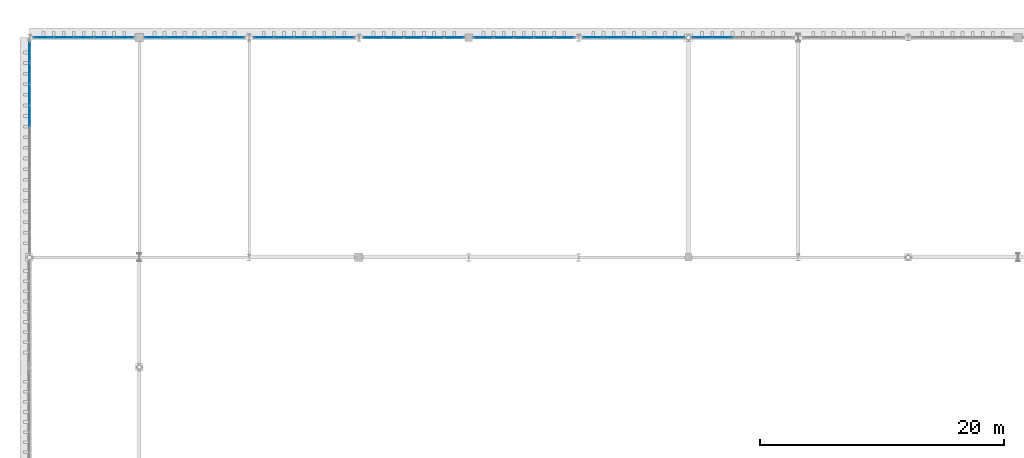
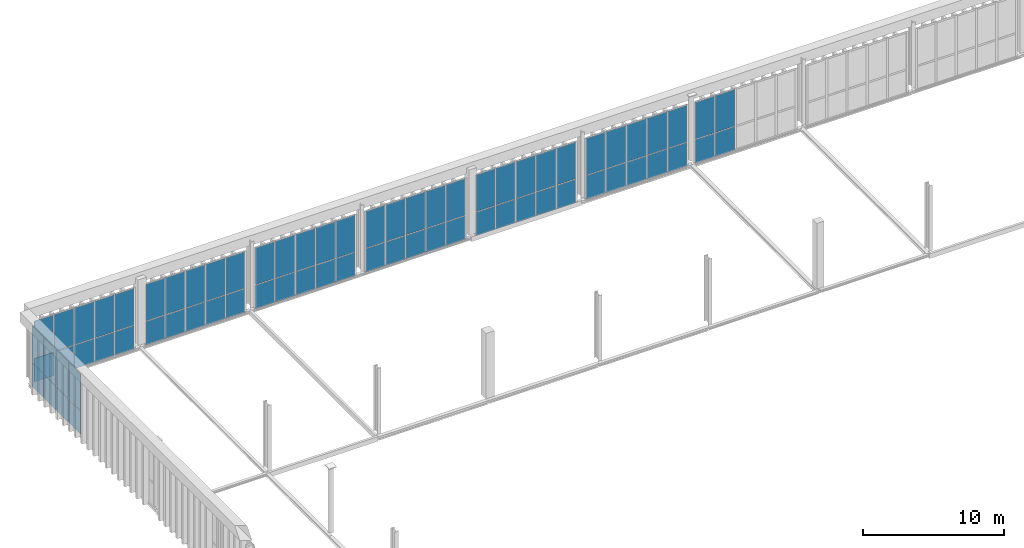
# One storey, part 196 of 237: 72 plates, 8 elements without a shape of their own.
"""IFC4 building model written with IfcOpenShell, lengths in metres."""

from ifc_helpers import new_model, si_unit, direction, frame, origin, origin_2d, place, context, subcontext, project, spatial, rectangle, extrude, material, layer, layer_set, type_object, element, aggregate, save


model = new_model("IFC4")

# Units and contexts
model_context = context("Model", 3, precision=1e-05, world=origin(), true_north=direction((0.0, 1.0)))
body_context = subcontext(model_context, "Body", "Model", "MODEL_VIEW")
ifc_project = project(units=[si_unit("LENGTHUNIT", "METRE"), si_unit("AREAUNIT", "SQUARE_METRE"), si_unit("VOLUMEUNIT", "CUBIC_METRE"), si_unit("PLANEANGLEUNIT", "RADIAN"), si_unit("MASSUNIT", "GRAM", prefix="KILO")], contexts=[model_context])

# Site, building, storey
site_placement = place(None, origin())
site = spatial("IfcSite", under=ifc_project, at=site_placement, CompositionType="ELEMENT")
building_placement = place(site_placement, origin())
building = spatial("IfcBuilding", under=site, at=building_placement, Name="Barlavento Convention Centre", CompositionType="ELEMENT")
storey_placement = place(building_placement, frame((0.0, 0.0, 12.0)))
storey = spatial("IfcBuildingStorey", under=building, at=storey_placement, Name="L02", CompositionType="ELEMENT", Elevation=12.0)

# Curtain wall, plates
ifc_material_1 = material(Name="Powder-coated aluminium and Low-E glass", Category="aluminium")
ifc_layer_1 = layer(ifc_material_1, 0.18505859375)
ifc_layer_set_1 = layer_set([ifc_layer_1], Name="ARC-CW-EXH-L02")
curtain_wall_type = type_object("IfcCurtainWallType", Name="ARC-CW-EXH-L02", PredefinedType="NOTDEFINED", material=ifc_layer_set_1)
curtain_wall_1_placement = place(storey_placement, origin())
curtain_wall_1 = element("IfcCurtainWall", 1, at=curtain_wall_1_placement, inside=storey, type_object=curtain_wall_type, Name="L02 unitised curtain wall CW05", PredefinedType="NOTDEFINED")
ifc_material_2 = material(Name="Insulated spandrel glass panel", Category="glass")
ifc_layer_2 = layer(ifc_material_2, 0.0400390625)
ifc_layer_set_2 = layer_set([ifc_layer_2], Name="ARC-CWP-SPN40")
plate_type_1 = type_object("IfcPlateType", Name="ARC-CWP-SPN40", PredefinedType="CURTAIN_PANEL", material=ifc_layer_set_2)
plate_1_placement = place(storey_placement, frame((0.0, 128.576904296875, -0.43994140625), z_axis=(0.0, 0.0, 1.0), x_axis=(0.0, 1.0, 0.0)))
plate_1 = element("IfcPlate", 2, at=plate_1_placement, type_object=plate_type_1, Name="CW05 panel 7.1", PredefinedType="CURTAIN_PANEL", context=body_context, shape_type="SweptSolid", body=[
    extrude(rectangle(XDim=1.67236328125, YDim=0.0400390625, at=origin_2d()), origin(), (0.0, 0.0, 1.0), 2.010009765625),
])
plate_2_placement = place(storey_placement, frame((0.0, 128.576904296875, 1.6298828125), z_axis=(0.0, 0.0, 1.0), x_axis=(0.0, 1.0, 0.0)))
plate_2 = element("IfcPlate", 3, at=plate_2_placement, type_object=plate_type_1, Name="CW05 panel 7.2", PredefinedType="CURTAIN_PANEL", context=body_context, shape_type="SweptSolid", body=[
    extrude(rectangle(XDim=1.67236328125, YDim=0.0400390625, at=origin_2d()), origin(), (0.0, 0.0, 1.0), 3.159912109375),
])
plate_3_placement = place(storey_placement, frame((0.0, 130.314208984375, -0.43994140625), z_axis=(0.0, 0.0, 1.0), x_axis=(0.0, 1.0, 0.0)))
plate_3 = element("IfcPlate", 4, at=plate_3_placement, type_object=plate_type_1, Name="CW05 panel 8.1", PredefinedType="CURTAIN_PANEL", context=body_context, shape_type="SweptSolid", body=[
    extrude(rectangle(XDim=1.67236328125, YDim=0.0400390625, at=origin_2d()), origin(), (0.0, 0.0, 1.0), 2.010009765625),
])
plate_4_placement = place(storey_placement, frame((0.0, 130.314208984375, 1.6298828125), z_axis=(0.0, 0.0, 1.0), x_axis=(0.0, 1.0, 0.0)))
plate_4 = element("IfcPlate", 5, at=plate_4_placement, type_object=plate_type_1, Name="CW05 panel 8.2", PredefinedType="CURTAIN_PANEL", context=body_context, shape_type="SweptSolid", body=[
    extrude(rectangle(XDim=1.67236328125, YDim=0.0400390625, at=origin_2d()), origin(), (0.0, 0.0, 1.0), 3.159912109375),
])
plate_5_placement = place(storey_placement, frame((0.0, 132.0517578125, -0.43994140625), z_axis=(0.0, 0.0, 1.0), x_axis=(0.0, 1.0, 0.0)))
plate_5 = element("IfcPlate", 6, at=plate_5_placement, type_object=plate_type_1, Name="CW05 panel 9.1", PredefinedType="CURTAIN_PANEL", context=body_context, shape_type="SweptSolid", body=[
    extrude(rectangle(XDim=1.67236328125, YDim=0.0400390625, at=origin_2d()), origin(), (0.0, 0.0, 1.0), 2.010009765625),
])
plate_6_placement = place(storey_placement, frame((0.0, 132.0517578125, 1.6298828125), z_axis=(0.0, 0.0, 1.0), x_axis=(0.0, 1.0, 0.0)))
plate_6 = element("IfcPlate", 7, at=plate_6_placement, type_object=plate_type_1, Name="CW05 panel 9.2", PredefinedType="CURTAIN_PANEL", context=body_context, shape_type="SweptSolid", body=[
    extrude(rectangle(XDim=1.67236328125, YDim=0.0400390625, at=origin_2d()), origin(), (0.0, 0.0, 1.0), 3.159912109375),
])
plate_7_placement = place(storey_placement, frame((0.0, 133.77294921875, -0.43994140625), z_axis=(0.0, 0.0, 1.0), x_axis=(0.0, 1.0, 0.0)))
plate_7 = element("IfcPlate", 8, at=plate_7_placement, type_object=plate_type_1, Name="CW05 panel 10.1", PredefinedType="CURTAIN_PANEL", context=body_context, shape_type="SweptSolid", body=[
    extrude(rectangle(XDim=1.639892578125, YDim=0.0400390625, at=origin_2d()), origin(), (0.0, 0.0, 1.0), 2.010009765625),
])
plate_8_placement = place(storey_placement, frame((0.0, 133.77294921875, 1.6298828125), z_axis=(0.0, 0.0, 1.0), x_axis=(0.0, 1.0, 0.0)))
plate_8 = element("IfcPlate", 9, at=plate_8_placement, type_object=plate_type_1, Name="CW05 panel 10.2", PredefinedType="CURTAIN_PANEL", context=body_context, shape_type="SweptSolid", body=[
    extrude(rectangle(XDim=1.639892578125, YDim=0.0400390625, at=origin_2d()), origin(), (0.0, 0.0, 1.0), 3.159912109375),
])
aggregate(curtain_wall_1, [plate_1, plate_2, plate_3, plate_4, plate_5, plate_6, plate_7, plate_8])

curtain_wall_2_placement = place(storey_placement, origin())
curtain_wall_2 = element("IfcCurtainWall", 10, at=curtain_wall_2_placement, inside=storey, type_object=curtain_wall_type, Name="L02 unitised curtain wall CW05", PredefinedType="NOTDEFINED")
ifc_material_3 = material(Name="Glazed terracotta spandrel panel", Category="masonry")
ifc_layer_3 = layer(ifc_material_3, 0.044921875)
ifc_layer_set_3 = layer_set([ifc_layer_3], Name="ARC-CWP-TER45")
plate_type_2 = type_object("IfcPlateType", Name="ARC-CWP-TER45", PredefinedType="CURTAIN_PANEL", material=ifc_layer_set_3)
plate_9_placement = place(storey_placement, frame((1.171875, 135.0, -0.43994140625), z_axis=(0.0, 0.0, 1.0), x_axis=(1.0, 0.0, 0.0)))
plate_9 = element("IfcPlate", 11, at=plate_9_placement, type_object=plate_type_2, Name="CW05 panel 1.1", PredefinedType="CURTAIN_PANEL", context=body_context, shape_type="SweptSolid", body=[
    extrude(rectangle(XDim=1.5595703125, YDim=0.044921875, at=origin_2d()), origin(), (0.0, 0.0, 1.0), 2.010009765625),
])
plate_10_placement = place(storey_placement, frame((1.171875, 135.0, 1.6298828125), z_axis=(0.0, 0.0, 1.0), x_axis=(1.0, 0.0, 0.0)))
plate_10 = element("IfcPlate", 12, at=plate_10_placement, type_object=plate_type_2, Name="CW05 panel 1.2", PredefinedType="CURTAIN_PANEL", context=body_context, shape_type="SweptSolid", body=[
    extrude(rectangle(XDim=1.5595703125, YDim=0.044921875, at=origin_2d()), origin(), (0.0, 0.0, 1.0), 3.159912109375),
])
plate_11_placement = place(storey_placement, frame((2.806396484375, 135.0, -0.43994140625), z_axis=(0.0, 0.0, 1.0), x_axis=(1.0, 0.0, 0.0)))
plate_11 = element("IfcPlate", 13, at=plate_11_placement, type_object=plate_type_2, Name="CW05 panel 2.1", PredefinedType="CURTAIN_PANEL", context=body_context, shape_type="SweptSolid", body=[
    extrude(rectangle(XDim=1.589599609375, YDim=0.044921875, at=origin_2d()), origin(), (0.0, 0.0, 1.0), 2.010009765625),
])
plate_12_placement = place(storey_placement, frame((2.806396484375, 135.0, 1.6298828125), z_axis=(0.0, 0.0, 1.0), x_axis=(1.0, 0.0, 0.0)))
plate_12 = element("IfcPlate", 14, at=plate_12_placement, type_object=plate_type_2, Name="CW05 panel 2.2", PredefinedType="CURTAIN_PANEL", context=body_context, shape_type="SweptSolid", body=[
    extrude(rectangle(XDim=1.589599609375, YDim=0.044921875, at=origin_2d()), origin(), (0.0, 0.0, 1.0), 3.159912109375),
])
plate_13_placement = place(storey_placement, frame((4.4560546875, 135.0, -0.43994140625), z_axis=(0.0, 0.0, 1.0), x_axis=(1.0, 0.0, 0.0)))
plate_13 = element("IfcPlate", 15, at=plate_13_placement, type_object=plate_type_2, Name="CW05 panel 3.1", PredefinedType="CURTAIN_PANEL", context=body_context, shape_type="SweptSolid", body=[
    extrude(rectangle(XDim=1.589599609375, YDim=0.044921875, at=origin_2d()), origin(), (0.0, 0.0, 1.0), 2.010009765625),
])
plate_14_placement = place(storey_placement, frame((4.4560546875, 135.0, 1.6298828125), z_axis=(0.0, 0.0, 1.0), x_axis=(1.0, 0.0, 0.0)))
plate_14 = element("IfcPlate", 16, at=plate_14_placement, type_object=plate_type_2, Name="CW05 panel 3.2", PredefinedType="CURTAIN_PANEL", context=body_context, shape_type="SweptSolid", body=[
    extrude(rectangle(XDim=1.589599609375, YDim=0.044921875, at=origin_2d()), origin(), (0.0, 0.0, 1.0), 3.159912109375),
])
plate_15_placement = place(storey_placement, frame((6.105712890625, 135.0, -0.43994140625), z_axis=(0.0, 0.0, 1.0), x_axis=(1.0, 0.0, 0.0)))
plate_15 = element("IfcPlate", 17, at=plate_15_placement, type_object=plate_type_2, Name="CW05 panel 4.1", PredefinedType="CURTAIN_PANEL", context=body_context, shape_type="SweptSolid", body=[
    extrude(rectangle(XDim=1.589599609375, YDim=0.044921875, at=origin_2d()), origin(), (0.0, 0.0, 1.0), 2.010009765625),
])
plate_16_placement = place(storey_placement, frame((6.105712890625, 135.0, 1.6298828125), z_axis=(0.0, 0.0, 1.0), x_axis=(1.0, 0.0, 0.0)))
plate_16 = element("IfcPlate", 18, at=plate_16_placement, type_object=plate_type_2, Name="CW05 panel 4.2", PredefinedType="CURTAIN_PANEL", context=body_context, shape_type="SweptSolid", body=[
    extrude(rectangle(XDim=1.589599609375, YDim=0.044921875, at=origin_2d()), origin(), (0.0, 0.0, 1.0), 3.159912109375),
])
plate_17_placement = place(storey_placement, frame((7.740234375, 135.0, -0.43994140625), z_axis=(0.0, 0.0, 1.0), x_axis=(1.0, 0.0, 0.0)))
plate_17 = element("IfcPlate", 19, at=plate_17_placement, type_object=plate_type_2, Name="CW05 panel 5.1", PredefinedType="CURTAIN_PANEL", context=body_context, shape_type="SweptSolid", body=[
    extrude(rectangle(XDim=1.5595703125, YDim=0.044921875, at=origin_2d()), origin(), (0.0, 0.0, 1.0), 2.010009765625),
])
plate_18_placement = place(storey_placement, frame((7.740234375, 135.0, 1.6298828125), z_axis=(0.0, 0.0, 1.0), x_axis=(1.0, 0.0, 0.0)))
plate_18 = element("IfcPlate", 20, at=plate_18_placement, type_object=plate_type_2, Name="CW05 panel 5.2", PredefinedType="CURTAIN_PANEL", context=body_context, shape_type="SweptSolid", body=[
    extrude(rectangle(XDim=1.5595703125, YDim=0.044921875, at=origin_2d()), origin(), (0.0, 0.0, 1.0), 3.159912109375),
])
aggregate(curtain_wall_2, [plate_9, plate_10, plate_11, plate_12, plate_13, plate_14, plate_15, plate_16, plate_17, plate_18])

curtain_wall_3_placement = place(storey_placement, origin())
curtain_wall_3 = element("IfcCurtainWall", 21, at=curtain_wall_3_placement, inside=storey, type_object=curtain_wall_type, Name="L02 unitised curtain wall CW05", PredefinedType="NOTDEFINED")
plate_19_placement = place(storey_placement, frame((10.2548828125, 135.0, -0.43994140625), z_axis=(0.0, 0.0, 1.0), x_axis=(1.0, 0.0, 0.0)))
plate_19 = element("IfcPlate", 22, at=plate_19_placement, type_object=plate_type_2, Name="CW05 panel 1.1", PredefinedType="CURTAIN_PANEL", context=body_context, shape_type="SweptSolid", body=[
    extrude(rectangle(XDim=1.550048828125, YDim=0.044921875, at=origin_2d()), origin(), (0.0, 0.0, 1.0), 2.010009765625),
])
plate_20_placement = place(storey_placement, frame((10.2548828125, 135.0, 1.6298828125), z_axis=(0.0, 0.0, 1.0), x_axis=(1.0, 0.0, 0.0)))
plate_20 = element("IfcPlate", 23, at=plate_20_placement, type_object=plate_type_2, Name="CW05 panel 1.2", PredefinedType="CURTAIN_PANEL", context=body_context, shape_type="SweptSolid", body=[
    extrude(rectangle(XDim=1.550048828125, YDim=0.044921875, at=origin_2d()), origin(), (0.0, 0.0, 1.0), 3.159912109375),
])
plate_21_placement = place(storey_placement, frame((11.8798828125, 135.0, -0.43994140625), z_axis=(0.0, 0.0, 1.0), x_axis=(1.0, 0.0, 0.0)))
plate_21 = element("IfcPlate", 24, at=plate_21_placement, type_object=plate_type_2, Name="CW05 panel 2.1", PredefinedType="CURTAIN_PANEL", context=body_context, shape_type="SweptSolid", body=[
    extrude(rectangle(XDim=1.580078125, YDim=0.044921875, at=origin_2d()), origin(), (0.0, 0.0, 1.0), 2.010009765625),
])
plate_22_placement = place(storey_placement, frame((11.8798828125, 135.0, 1.6298828125), z_axis=(0.0, 0.0, 1.0), x_axis=(1.0, 0.0, 0.0)))
plate_22 = element("IfcPlate", 25, at=plate_22_placement, type_object=plate_type_2, Name="CW05 panel 2.2", PredefinedType="CURTAIN_PANEL", context=body_context, shape_type="SweptSolid", body=[
    extrude(rectangle(XDim=1.580078125, YDim=0.044921875, at=origin_2d()), origin(), (0.0, 0.0, 1.0), 3.159912109375),
])
plate_23_placement = place(storey_placement, frame((13.52001953125, 135.0, -0.43994140625), z_axis=(0.0, 0.0, 1.0), x_axis=(1.0, 0.0, 0.0)))
plate_23 = element("IfcPlate", 26, at=plate_23_placement, type_object=plate_type_2, Name="CW05 panel 3.1", PredefinedType="CURTAIN_PANEL", context=body_context, shape_type="SweptSolid", body=[
    extrude(rectangle(XDim=1.580078125, YDim=0.044921875, at=origin_2d()), origin(), (0.0, 0.0, 1.0), 2.010009765625),
])
plate_24_placement = place(storey_placement, frame((13.52001953125, 135.0, 1.6298828125), z_axis=(0.0, 0.0, 1.0), x_axis=(1.0, 0.0, 0.0)))
plate_24 = element("IfcPlate", 27, at=plate_24_placement, type_object=plate_type_2, Name="CW05 panel 3.2", PredefinedType="CURTAIN_PANEL", context=body_context, shape_type="SweptSolid", body=[
    extrude(rectangle(XDim=1.580078125, YDim=0.044921875, at=origin_2d()), origin(), (0.0, 0.0, 1.0), 3.159912109375),
])
plate_25_placement = place(storey_placement, frame((15.159912109375, 135.0, -0.43994140625), z_axis=(0.0, 0.0, 1.0), x_axis=(1.0, 0.0, 0.0)))
plate_25 = element("IfcPlate", 28, at=plate_25_placement, type_object=plate_type_2, Name="CW05 panel 4.1", PredefinedType="CURTAIN_PANEL", context=body_context, shape_type="SweptSolid", body=[
    extrude(rectangle(XDim=1.580078125, YDim=0.044921875, at=origin_2d()), origin(), (0.0, 0.0, 1.0), 2.010009765625),
])
plate_26_placement = place(storey_placement, frame((15.159912109375, 135.0, 1.6298828125), z_axis=(0.0, 0.0, 1.0), x_axis=(1.0, 0.0, 0.0)))
plate_26 = element("IfcPlate", 29, at=plate_26_placement, type_object=plate_type_2, Name="CW05 panel 4.2", PredefinedType="CURTAIN_PANEL", context=body_context, shape_type="SweptSolid", body=[
    extrude(rectangle(XDim=1.580078125, YDim=0.044921875, at=origin_2d()), origin(), (0.0, 0.0, 1.0), 3.159912109375),
])
plate_27_placement = place(storey_placement, frame((16.784912109375, 135.0, -0.43994140625), z_axis=(0.0, 0.0, 1.0), x_axis=(1.0, 0.0, 0.0)))
plate_27 = element("IfcPlate", 30, at=plate_27_placement, type_object=plate_type_2, Name="CW05 panel 5.1", PredefinedType="CURTAIN_PANEL", context=body_context, shape_type="SweptSolid", body=[
    extrude(rectangle(XDim=1.550048828125, YDim=0.044921875, at=origin_2d()), origin(), (0.0, 0.0, 1.0), 2.010009765625),
])
plate_28_placement = place(storey_placement, frame((16.784912109375, 135.0, 1.6298828125), z_axis=(0.0, 0.0, 1.0), x_axis=(1.0, 0.0, 0.0)))
plate_28 = element("IfcPlate", 31, at=plate_28_placement, type_object=plate_type_2, Name="CW05 panel 5.2", PredefinedType="CURTAIN_PANEL", context=body_context, shape_type="SweptSolid", body=[
    extrude(rectangle(XDim=1.550048828125, YDim=0.044921875, at=origin_2d()), origin(), (0.0, 0.0, 1.0), 3.159912109375),
])
aggregate(curtain_wall_3, [plate_19, plate_20, plate_21, plate_22, plate_23, plate_24, plate_25, plate_26, plate_27, plate_28])

curtain_wall_4_placement = place(storey_placement, origin())
curtain_wall_4 = element("IfcCurtainWall", 32, at=curtain_wall_4_placement, inside=storey, type_object=curtain_wall_type, Name="L02 unitised curtain wall CW05", PredefinedType="NOTDEFINED")
plate_29_placement = place(storey_placement, frame((19.219970703125, 135.0, -0.43994140625), z_axis=(0.0, 0.0, 1.0), x_axis=(1.0, 0.0, 0.0)))
plate_29 = element("IfcPlate", 33, at=plate_29_placement, type_object=plate_type_2, Name="CW05 panel 1.1", PredefinedType="CURTAIN_PANEL", context=body_context, shape_type="SweptSolid", body=[
    extrude(rectangle(XDim=1.56005859375, YDim=0.044921875, at=origin_2d()), origin(), (0.0, 0.0, 1.0), 2.010009765625),
])
plate_30_placement = place(storey_placement, frame((19.219970703125, 135.0, 1.6298828125), z_axis=(0.0, 0.0, 1.0), x_axis=(1.0, 0.0, 0.0)))
plate_30 = element("IfcPlate", 34, at=plate_30_placement, type_object=plate_type_2, Name="CW05 panel 1.2", PredefinedType="CURTAIN_PANEL", context=body_context, shape_type="SweptSolid", body=[
    extrude(rectangle(XDim=1.56005859375, YDim=0.044921875, at=origin_2d()), origin(), (0.0, 0.0, 1.0), 3.159912109375),
])
plate_31_placement = place(storey_placement, frame((20.85498046875, 135.0, -0.43994140625), z_axis=(0.0, 0.0, 1.0), x_axis=(1.0, 0.0, 0.0)))
plate_31 = element("IfcPlate", 35, at=plate_31_placement, type_object=plate_type_2, Name="CW05 panel 2.1", PredefinedType="CURTAIN_PANEL", context=body_context, shape_type="SweptSolid", body=[
    extrude(rectangle(XDim=1.590087890625, YDim=0.044921875, at=origin_2d()), origin(), (0.0, 0.0, 1.0), 2.010009765625),
])
plate_32_placement = place(storey_placement, frame((20.85498046875, 135.0, 1.6298828125), z_axis=(0.0, 0.0, 1.0), x_axis=(1.0, 0.0, 0.0)))
plate_32 = element("IfcPlate", 36, at=plate_32_placement, type_object=plate_type_2, Name="CW05 panel 2.2", PredefinedType="CURTAIN_PANEL", context=body_context, shape_type="SweptSolid", body=[
    extrude(rectangle(XDim=1.590087890625, YDim=0.044921875, at=origin_2d()), origin(), (0.0, 0.0, 1.0), 3.159912109375),
])
plate_33_placement = place(storey_placement, frame((22.5048828125, 135.0, -0.43994140625), z_axis=(0.0, 0.0, 1.0), x_axis=(1.0, 0.0, 0.0)))
plate_33 = element("IfcPlate", 37, at=plate_33_placement, type_object=plate_type_2, Name="CW05 panel 3.1", PredefinedType="CURTAIN_PANEL", context=body_context, shape_type="SweptSolid", body=[
    extrude(rectangle(XDim=1.590087890625, YDim=0.044921875, at=origin_2d()), origin(), (0.0, 0.0, 1.0), 2.010009765625),
])
plate_34_placement = place(storey_placement, frame((22.5048828125, 135.0, 1.6298828125), z_axis=(0.0, 0.0, 1.0), x_axis=(1.0, 0.0, 0.0)))
plate_34 = element("IfcPlate", 38, at=plate_34_placement, type_object=plate_type_2, Name="CW05 panel 3.2", PredefinedType="CURTAIN_PANEL", context=body_context, shape_type="SweptSolid", body=[
    extrude(rectangle(XDim=1.590087890625, YDim=0.044921875, at=origin_2d()), origin(), (0.0, 0.0, 1.0), 3.159912109375),
])
plate_35_placement = place(storey_placement, frame((24.155029296875, 135.0, -0.43994140625), z_axis=(0.0, 0.0, 1.0), x_axis=(1.0, 0.0, 0.0)))
plate_35 = element("IfcPlate", 39, at=plate_35_placement, type_object=plate_type_2, Name="CW05 panel 4.1", PredefinedType="CURTAIN_PANEL", context=body_context, shape_type="SweptSolid", body=[
    extrude(rectangle(XDim=1.590087890625, YDim=0.044921875, at=origin_2d()), origin(), (0.0, 0.0, 1.0), 2.010009765625),
])
plate_36_placement = place(storey_placement, frame((24.155029296875, 135.0, 1.6298828125), z_axis=(0.0, 0.0, 1.0), x_axis=(1.0, 0.0, 0.0)))
plate_36 = element("IfcPlate", 40, at=plate_36_placement, type_object=plate_type_2, Name="CW05 panel 4.2", PredefinedType="CURTAIN_PANEL", context=body_context, shape_type="SweptSolid", body=[
    extrude(rectangle(XDim=1.590087890625, YDim=0.044921875, at=origin_2d()), origin(), (0.0, 0.0, 1.0), 3.159912109375),
])
plate_37_placement = place(storey_placement, frame((25.7900390625, 135.0, -0.43994140625), z_axis=(0.0, 0.0, 1.0), x_axis=(1.0, 0.0, 0.0)))
plate_37 = element("IfcPlate", 41, at=plate_37_placement, type_object=plate_type_2, Name="CW05 panel 5.1", PredefinedType="CURTAIN_PANEL", context=body_context, shape_type="SweptSolid", body=[
    extrude(rectangle(XDim=1.56005859375, YDim=0.044921875, at=origin_2d()), origin(), (0.0, 0.0, 1.0), 2.010009765625),
])
plate_38_placement = place(storey_placement, frame((25.7900390625, 135.0, 1.6298828125), z_axis=(0.0, 0.0, 1.0), x_axis=(1.0, 0.0, 0.0)))
plate_38 = element("IfcPlate", 42, at=plate_38_placement, type_object=plate_type_2, Name="CW05 panel 5.2", PredefinedType="CURTAIN_PANEL", context=body_context, shape_type="SweptSolid", body=[
    extrude(rectangle(XDim=1.56005859375, YDim=0.044921875, at=origin_2d()), origin(), (0.0, 0.0, 1.0), 3.159912109375),
])
aggregate(curtain_wall_4, [plate_29, plate_30, plate_31, plate_32, plate_33, plate_34, plate_35, plate_36, plate_37, plate_38])

curtain_wall_5_placement = place(storey_placement, origin())
curtain_wall_5 = element("IfcCurtainWall", 43, at=curtain_wall_5_placement, inside=storey, type_object=curtain_wall_type, Name="L02 unitised curtain wall CW05", PredefinedType="NOTDEFINED")
plate_39_placement = place(storey_placement, frame((28.2109375, 135.0, -0.43994140625), z_axis=(0.0, 0.0, 1.0), x_axis=(1.0, 0.0, 0.0)))
plate_39 = element("IfcPlate", 44, at=plate_39_placement, type_object=plate_type_2, Name="CW05 panel 1.1", PredefinedType="CURTAIN_PANEL", context=body_context, shape_type="SweptSolid", body=[
    extrude(rectangle(XDim=1.56201171875, YDim=0.044921875, at=origin_2d()), origin(), (0.0, 0.0, 1.0), 2.010009765625),
])
plate_40_placement = place(storey_placement, frame((28.2109375, 135.0, 1.6298828125), z_axis=(0.0, 0.0, 1.0), x_axis=(1.0, 0.0, 0.0)))
plate_40 = element("IfcPlate", 45, at=plate_40_placement, type_object=plate_type_2, Name="CW05 panel 1.2", PredefinedType="CURTAIN_PANEL", context=body_context, shape_type="SweptSolid", body=[
    extrude(rectangle(XDim=1.56201171875, YDim=0.044921875, at=origin_2d()), origin(), (0.0, 0.0, 1.0), 3.159912109375),
])
plate_41_placement = place(storey_placement, frame((29.847900390625, 135.0, -0.43994140625), z_axis=(0.0, 0.0, 1.0), x_axis=(1.0, 0.0, 0.0)))
plate_41 = element("IfcPlate", 46, at=plate_41_placement, type_object=plate_type_2, Name="CW05 panel 2.1", PredefinedType="CURTAIN_PANEL", context=body_context, shape_type="SweptSolid", body=[
    extrude(rectangle(XDim=1.592041015625, YDim=0.044921875, at=origin_2d()), origin(), (0.0, 0.0, 1.0), 2.010009765625),
])
plate_42_placement = place(storey_placement, frame((29.847900390625, 135.0, 1.6298828125), z_axis=(0.0, 0.0, 1.0), x_axis=(1.0, 0.0, 0.0)))
plate_42 = element("IfcPlate", 47, at=plate_42_placement, type_object=plate_type_2, Name="CW05 panel 2.2", PredefinedType="CURTAIN_PANEL", context=body_context, shape_type="SweptSolid", body=[
    extrude(rectangle(XDim=1.592041015625, YDim=0.044921875, at=origin_2d()), origin(), (0.0, 0.0, 1.0), 3.159912109375),
])
plate_43_placement = place(storey_placement, frame((31.5, 135.0, -0.43994140625), z_axis=(0.0, 0.0, 1.0), x_axis=(1.0, 0.0, 0.0)))
plate_43 = element("IfcPlate", 48, at=plate_43_placement, type_object=plate_type_2, Name="CW05 panel 3.1", PredefinedType="CURTAIN_PANEL", context=body_context, shape_type="SweptSolid", body=[
    extrude(rectangle(XDim=1.592041015625, YDim=0.044921875, at=origin_2d()), origin(), (0.0, 0.0, 1.0), 2.010009765625),
])
plate_44_placement = place(storey_placement, frame((31.5, 135.0, 1.6298828125), z_axis=(0.0, 0.0, 1.0), x_axis=(1.0, 0.0, 0.0)))
plate_44 = element("IfcPlate", 49, at=plate_44_placement, type_object=plate_type_2, Name="CW05 panel 3.2", PredefinedType="CURTAIN_PANEL", context=body_context, shape_type="SweptSolid", body=[
    extrude(rectangle(XDim=1.592041015625, YDim=0.044921875, at=origin_2d()), origin(), (0.0, 0.0, 1.0), 3.159912109375),
])
plate_45_placement = place(storey_placement, frame((33.152099609375, 135.0, -0.43994140625), z_axis=(0.0, 0.0, 1.0), x_axis=(1.0, 0.0, 0.0)))
plate_45 = element("IfcPlate", 50, at=plate_45_placement, type_object=plate_type_2, Name="CW05 panel 4.1", PredefinedType="CURTAIN_PANEL", context=body_context, shape_type="SweptSolid", body=[
    extrude(rectangle(XDim=1.592041015625, YDim=0.044921875, at=origin_2d()), origin(), (0.0, 0.0, 1.0), 2.010009765625),
])
plate_46_placement = place(storey_placement, frame((33.152099609375, 135.0, 1.6298828125), z_axis=(0.0, 0.0, 1.0), x_axis=(1.0, 0.0, 0.0)))
plate_46 = element("IfcPlate", 51, at=plate_46_placement, type_object=plate_type_2, Name="CW05 panel 4.2", PredefinedType="CURTAIN_PANEL", context=body_context, shape_type="SweptSolid", body=[
    extrude(rectangle(XDim=1.592041015625, YDim=0.044921875, at=origin_2d()), origin(), (0.0, 0.0, 1.0), 3.159912109375),
])
plate_47_placement = place(storey_placement, frame((34.7890625, 135.0, -0.43994140625), z_axis=(0.0, 0.0, 1.0), x_axis=(1.0, 0.0, 0.0)))
plate_47 = element("IfcPlate", 52, at=plate_47_placement, type_object=plate_type_2, Name="CW05 panel 5.1", PredefinedType="CURTAIN_PANEL", context=body_context, shape_type="SweptSolid", body=[
    extrude(rectangle(XDim=1.56201171875, YDim=0.044921875, at=origin_2d()), origin(), (0.0, 0.0, 1.0), 2.010009765625),
])
plate_48_placement = place(storey_placement, frame((34.7890625, 135.0, 1.6298828125), z_axis=(0.0, 0.0, 1.0), x_axis=(1.0, 0.0, 0.0)))
plate_48 = element("IfcPlate", 53, at=plate_48_placement, type_object=plate_type_2, Name="CW05 panel 5.2", PredefinedType="CURTAIN_PANEL", context=body_context, shape_type="SweptSolid", body=[
    extrude(rectangle(XDim=1.56201171875, YDim=0.044921875, at=origin_2d()), origin(), (0.0, 0.0, 1.0), 3.159912109375),
])
aggregate(curtain_wall_5, [plate_39, plate_40, plate_41, plate_42, plate_43, plate_44, plate_45, plate_46, plate_47, plate_48])

curtain_wall_6_placement = place(storey_placement, origin())
curtain_wall_6 = element("IfcCurtainWall", 54, at=curtain_wall_6_placement, inside=storey, type_object=curtain_wall_type, Name="L02 unitised curtain wall CW05", PredefinedType="NOTDEFINED")
plate_49_placement = place(storey_placement, frame((37.21240234375, 135.0, -0.43994140625), z_axis=(0.0, 0.0, 1.0), x_axis=(1.0, 0.0, 0.0)))
plate_49 = element("IfcPlate", 55, at=plate_49_placement, type_object=plate_type_2, Name="CW05 panel 1.1", PredefinedType="CURTAIN_PANEL", context=body_context, shape_type="SweptSolid", body=[
    extrude(rectangle(XDim=1.564697265625, YDim=0.044921875, at=origin_2d()), origin(), (0.0, 0.0, 1.0), 2.010009765625),
])
plate_50_placement = place(storey_placement, frame((37.21240234375, 135.0, 1.6298828125), z_axis=(0.0, 0.0, 1.0), x_axis=(1.0, 0.0, 0.0)))
plate_50 = element("IfcPlate", 56, at=plate_50_placement, type_object=plate_type_2, Name="CW05 panel 1.2", PredefinedType="CURTAIN_PANEL", context=body_context, shape_type="SweptSolid", body=[
    extrude(rectangle(XDim=1.564697265625, YDim=0.044921875, at=origin_2d()), origin(), (0.0, 0.0, 1.0), 3.159912109375),
])
plate_51_placement = place(storey_placement, frame((38.852294921875, 135.0, -0.43994140625), z_axis=(0.0, 0.0, 1.0), x_axis=(1.0, 0.0, 0.0)))
plate_51 = element("IfcPlate", 57, at=plate_51_placement, type_object=plate_type_2, Name="CW05 panel 2.1", PredefinedType="CURTAIN_PANEL", context=body_context, shape_type="SweptSolid", body=[
    extrude(rectangle(XDim=1.5947265625, YDim=0.044921875, at=origin_2d()), origin(), (0.0, 0.0, 1.0), 2.010009765625),
])
plate_52_placement = place(storey_placement, frame((38.852294921875, 135.0, 1.6298828125), z_axis=(0.0, 0.0, 1.0), x_axis=(1.0, 0.0, 0.0)))
plate_52 = element("IfcPlate", 58, at=plate_52_placement, type_object=plate_type_2, Name="CW05 panel 2.2", PredefinedType="CURTAIN_PANEL", context=body_context, shape_type="SweptSolid", body=[
    extrude(rectangle(XDim=1.5947265625, YDim=0.044921875, at=origin_2d()), origin(), (0.0, 0.0, 1.0), 3.159912109375),
])
plate_53_placement = place(storey_placement, frame((40.507080078125, 135.0, -0.43994140625), z_axis=(0.0, 0.0, 1.0), x_axis=(1.0, 0.0, 0.0)))
plate_53 = element("IfcPlate", 59, at=plate_53_placement, type_object=plate_type_2, Name="CW05 panel 3.1", PredefinedType="CURTAIN_PANEL", context=body_context, shape_type="SweptSolid", body=[
    extrude(rectangle(XDim=1.5947265625, YDim=0.044921875, at=origin_2d()), origin(), (0.0, 0.0, 1.0), 2.010009765625),
])
plate_54_placement = place(storey_placement, frame((40.507080078125, 135.0, 1.6298828125), z_axis=(0.0, 0.0, 1.0), x_axis=(1.0, 0.0, 0.0)))
plate_54 = element("IfcPlate", 60, at=plate_54_placement, type_object=plate_type_2, Name="CW05 panel 3.2", PredefinedType="CURTAIN_PANEL", context=body_context, shape_type="SweptSolid", body=[
    extrude(rectangle(XDim=1.5947265625, YDim=0.044921875, at=origin_2d()), origin(), (0.0, 0.0, 1.0), 3.159912109375),
])
plate_55_placement = place(storey_placement, frame((42.161865234375, 135.0, -0.43994140625), z_axis=(0.0, 0.0, 1.0), x_axis=(1.0, 0.0, 0.0)))
plate_55 = element("IfcPlate", 61, at=plate_55_placement, type_object=plate_type_2, Name="CW05 panel 4.1", PredefinedType="CURTAIN_PANEL", context=body_context, shape_type="SweptSolid", body=[
    extrude(rectangle(XDim=1.5947265625, YDim=0.044921875, at=origin_2d()), origin(), (0.0, 0.0, 1.0), 2.010009765625),
])
plate_56_placement = place(storey_placement, frame((42.161865234375, 135.0, 1.6298828125), z_axis=(0.0, 0.0, 1.0), x_axis=(1.0, 0.0, 0.0)))
plate_56 = element("IfcPlate", 62, at=plate_56_placement, type_object=plate_type_2, Name="CW05 panel 4.2", PredefinedType="CURTAIN_PANEL", context=body_context, shape_type="SweptSolid", body=[
    extrude(rectangle(XDim=1.5947265625, YDim=0.044921875, at=origin_2d()), origin(), (0.0, 0.0, 1.0), 3.159912109375),
])
plate_57_placement = place(storey_placement, frame((43.801513671875, 135.0, -0.43994140625), z_axis=(0.0, 0.0, 1.0), x_axis=(1.0, 0.0, 0.0)))
plate_57 = element("IfcPlate", 63, at=plate_57_placement, type_object=plate_type_2, Name="CW05 panel 5.1", PredefinedType="CURTAIN_PANEL", context=body_context, shape_type="SweptSolid", body=[
    extrude(rectangle(XDim=1.564697265625, YDim=0.044921875, at=origin_2d()), origin(), (0.0, 0.0, 1.0), 2.010009765625),
])
plate_58_placement = place(storey_placement, frame((43.801513671875, 135.0, 1.6298828125), z_axis=(0.0, 0.0, 1.0), x_axis=(1.0, 0.0, 0.0)))
plate_58 = element("IfcPlate", 64, at=plate_58_placement, type_object=plate_type_2, Name="CW05 panel 5.2", PredefinedType="CURTAIN_PANEL", context=body_context, shape_type="SweptSolid", body=[
    extrude(rectangle(XDim=1.564697265625, YDim=0.044921875, at=origin_2d()), origin(), (0.0, 0.0, 1.0), 3.159912109375),
])
aggregate(curtain_wall_6, [plate_49, plate_50, plate_51, plate_52, plate_53, plate_54, plate_55, plate_56, plate_57, plate_58])

curtain_wall_7_placement = place(storey_placement, origin())
curtain_wall_7 = element("IfcCurtainWall", 65, at=curtain_wall_7_placement, inside=storey, type_object=curtain_wall_type, Name="L02 unitised curtain wall CW05", PredefinedType="NOTDEFINED")
plate_59_placement = place(storey_placement, frame((46.2080078125, 135.0, -0.43994140625), z_axis=(0.0, 0.0, 1.0), x_axis=(1.0, 0.0, 0.0)))
plate_59 = element("IfcPlate", 66, at=plate_59_placement, type_object=plate_type_2, Name="CW05 panel 1.1", PredefinedType="CURTAIN_PANEL", context=body_context, shape_type="SweptSolid", body=[
    extrude(rectangle(XDim=1.584228515625, YDim=0.044921875, at=origin_2d()), origin(), (0.0, 0.0, 1.0), 2.010009765625),
])
plate_60_placement = place(storey_placement, frame((46.2080078125, 135.0, 1.6298828125), z_axis=(0.0, 0.0, 1.0), x_axis=(1.0, 0.0, 0.0)))
plate_60 = element("IfcPlate", 67, at=plate_60_placement, type_object=plate_type_2, Name="CW05 panel 1.2", PredefinedType="CURTAIN_PANEL", context=body_context, shape_type="SweptSolid", body=[
    extrude(rectangle(XDim=1.584228515625, YDim=0.044921875, at=origin_2d()), origin(), (0.0, 0.0, 1.0), 3.159912109375),
])
plate_61_placement = place(storey_placement, frame((47.8671875, 135.0, -0.43994140625), z_axis=(0.0, 0.0, 1.0), x_axis=(1.0, 0.0, 0.0)))
plate_61 = element("IfcPlate", 68, at=plate_61_placement, type_object=plate_type_2, Name="CW05 panel 2.1", PredefinedType="CURTAIN_PANEL", context=body_context, shape_type="SweptSolid", body=[
    extrude(rectangle(XDim=1.6142578125, YDim=0.044921875, at=origin_2d()), origin(), (0.0, 0.0, 1.0), 2.010009765625),
])
plate_62_placement = place(storey_placement, frame((47.8671875, 135.0, 1.6298828125), z_axis=(0.0, 0.0, 1.0), x_axis=(1.0, 0.0, 0.0)))
plate_62 = element("IfcPlate", 69, at=plate_62_placement, type_object=plate_type_2, Name="CW05 panel 2.2", PredefinedType="CURTAIN_PANEL", context=body_context, shape_type="SweptSolid", body=[
    extrude(rectangle(XDim=1.6142578125, YDim=0.044921875, at=origin_2d()), origin(), (0.0, 0.0, 1.0), 3.159912109375),
])
plate_63_placement = place(storey_placement, frame((49.54150390625, 135.0, -0.43994140625), z_axis=(0.0, 0.0, 1.0), x_axis=(1.0, 0.0, 0.0)))
plate_63 = element("IfcPlate", 70, at=plate_63_placement, type_object=plate_type_2, Name="CW05 panel 3.1", PredefinedType="CURTAIN_PANEL", context=body_context, shape_type="SweptSolid", body=[
    extrude(rectangle(XDim=1.6142578125, YDim=0.044921875, at=origin_2d()), origin(), (0.0, 0.0, 1.0), 2.010009765625),
])
plate_64_placement = place(storey_placement, frame((49.54150390625, 135.0, 1.6298828125), z_axis=(0.0, 0.0, 1.0), x_axis=(1.0, 0.0, 0.0)))
plate_64 = element("IfcPlate", 71, at=plate_64_placement, type_object=plate_type_2, Name="CW05 panel 3.2", PredefinedType="CURTAIN_PANEL", context=body_context, shape_type="SweptSolid", body=[
    extrude(rectangle(XDim=1.6142578125, YDim=0.044921875, at=origin_2d()), origin(), (0.0, 0.0, 1.0), 3.159912109375),
])
plate_65_placement = place(storey_placement, frame((51.215576171875, 135.0, -0.43994140625), z_axis=(0.0, 0.0, 1.0), x_axis=(1.0, 0.0, 0.0)))
plate_65 = element("IfcPlate", 72, at=plate_65_placement, type_object=plate_type_2, Name="CW05 panel 4.1", PredefinedType="CURTAIN_PANEL", context=body_context, shape_type="SweptSolid", body=[
    extrude(rectangle(XDim=1.6142578125, YDim=0.044921875, at=origin_2d()), origin(), (0.0, 0.0, 1.0), 2.010009765625),
])
plate_66_placement = place(storey_placement, frame((51.215576171875, 135.0, 1.6298828125), z_axis=(0.0, 0.0, 1.0), x_axis=(1.0, 0.0, 0.0)))
plate_66 = element("IfcPlate", 73, at=plate_66_placement, type_object=plate_type_2, Name="CW05 panel 4.2", PredefinedType="CURTAIN_PANEL", context=body_context, shape_type="SweptSolid", body=[
    extrude(rectangle(XDim=1.6142578125, YDim=0.044921875, at=origin_2d()), origin(), (0.0, 0.0, 1.0), 3.159912109375),
])
plate_67_placement = place(storey_placement, frame((52.874755859375, 135.0, -0.43994140625), z_axis=(0.0, 0.0, 1.0), x_axis=(1.0, 0.0, 0.0)))
plate_67 = element("IfcPlate", 74, at=plate_67_placement, type_object=plate_type_2, Name="CW05 panel 5.1", PredefinedType="CURTAIN_PANEL", context=body_context, shape_type="SweptSolid", body=[
    extrude(rectangle(XDim=1.584228515625, YDim=0.044921875, at=origin_2d()), origin(), (0.0, 0.0, 1.0), 2.010009765625),
])
plate_68_placement = place(storey_placement, frame((52.874755859375, 135.0, 1.6298828125), z_axis=(0.0, 0.0, 1.0), x_axis=(1.0, 0.0, 0.0)))
plate_68 = element("IfcPlate", 75, at=plate_68_placement, type_object=plate_type_2, Name="CW05 panel 5.2", PredefinedType="CURTAIN_PANEL", context=body_context, shape_type="SweptSolid", body=[
    extrude(rectangle(XDim=1.584228515625, YDim=0.044921875, at=origin_2d()), origin(), (0.0, 0.0, 1.0), 3.159912109375),
])
aggregate(curtain_wall_7, [plate_59, plate_60, plate_61, plate_62, plate_63, plate_64, plate_65, plate_66, plate_67, plate_68])

curtain_wall_8_placement = place(storey_placement, origin())
curtain_wall_8 = element("IfcCurtainWall", 76, at=curtain_wall_8_placement, inside=storey, type_object=curtain_wall_type, Name="L02 unitised curtain wall CW05", PredefinedType="NOTDEFINED")
plate_69_placement = place(storey_placement, frame((55.120361328125, 135.0, -0.43994140625), z_axis=(0.0, 0.0, 1.0), x_axis=(1.0, 0.0, 0.0)))
plate_69 = element("IfcPlate", 77, at=plate_69_placement, type_object=plate_type_2, Name="CW05 panel 1.1", PredefinedType="CURTAIN_PANEL", context=body_context, shape_type="SweptSolid", body=[
    extrude(rectangle(XDim=1.574462890625, YDim=0.044921875, at=origin_2d()), origin(), (0.0, 0.0, 1.0), 2.010009765625),
])
plate_70_placement = place(storey_placement, frame((55.120361328125, 135.0, 1.6298828125), z_axis=(0.0, 0.0, 1.0), x_axis=(1.0, 0.0, 0.0)))
plate_70 = element("IfcPlate", 78, at=plate_70_placement, type_object=plate_type_2, Name="CW05 panel 1.2", PredefinedType="CURTAIN_PANEL", context=body_context, shape_type="SweptSolid", body=[
    extrude(rectangle(XDim=1.574462890625, YDim=0.044921875, at=origin_2d()), origin(), (0.0, 0.0, 1.0), 3.159912109375),
])
plate_71_placement = place(storey_placement, frame((56.77001953125, 135.0, -0.43994140625), z_axis=(0.0, 0.0, 1.0), x_axis=(1.0, 0.0, 0.0)))
plate_71 = element("IfcPlate", 79, at=plate_71_placement, type_object=plate_type_2, Name="CW05 panel 2.1", PredefinedType="CURTAIN_PANEL", context=body_context, shape_type="SweptSolid", body=[
    extrude(rectangle(XDim=1.6044921875, YDim=0.044921875, at=origin_2d()), origin(), (0.0, 0.0, 1.0), 2.010009765625),
])
plate_72_placement = place(storey_placement, frame((56.77001953125, 135.0, 1.6298828125), z_axis=(0.0, 0.0, 1.0), x_axis=(1.0, 0.0, 0.0)))
plate_72 = element("IfcPlate", 80, at=plate_72_placement, type_object=plate_type_2, Name="CW05 panel 2.2", PredefinedType="CURTAIN_PANEL", context=body_context, shape_type="SweptSolid", body=[
    extrude(rectangle(XDim=1.6044921875, YDim=0.044921875, at=origin_2d()), origin(), (0.0, 0.0, 1.0), 3.159912109375),
])
aggregate(curtain_wall_8, [plate_69, plate_70, plate_71, plate_72])

save(model, "model.ifc")
